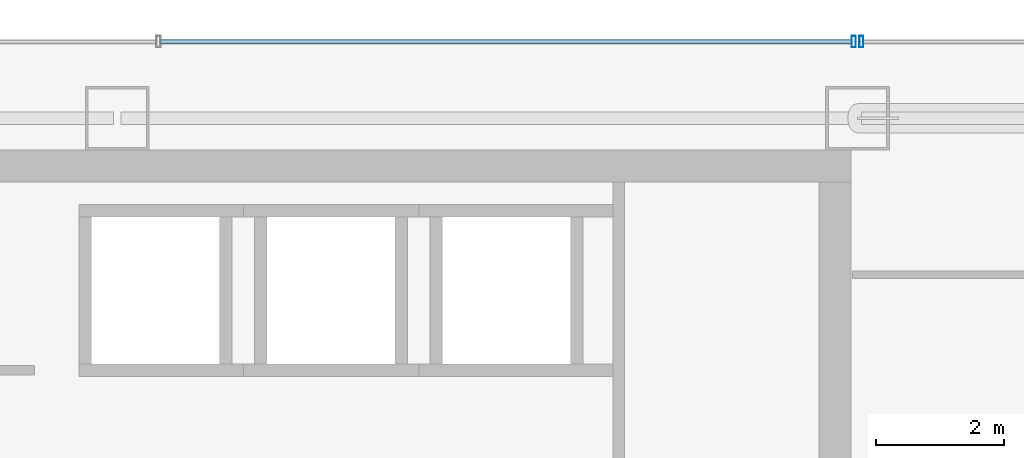
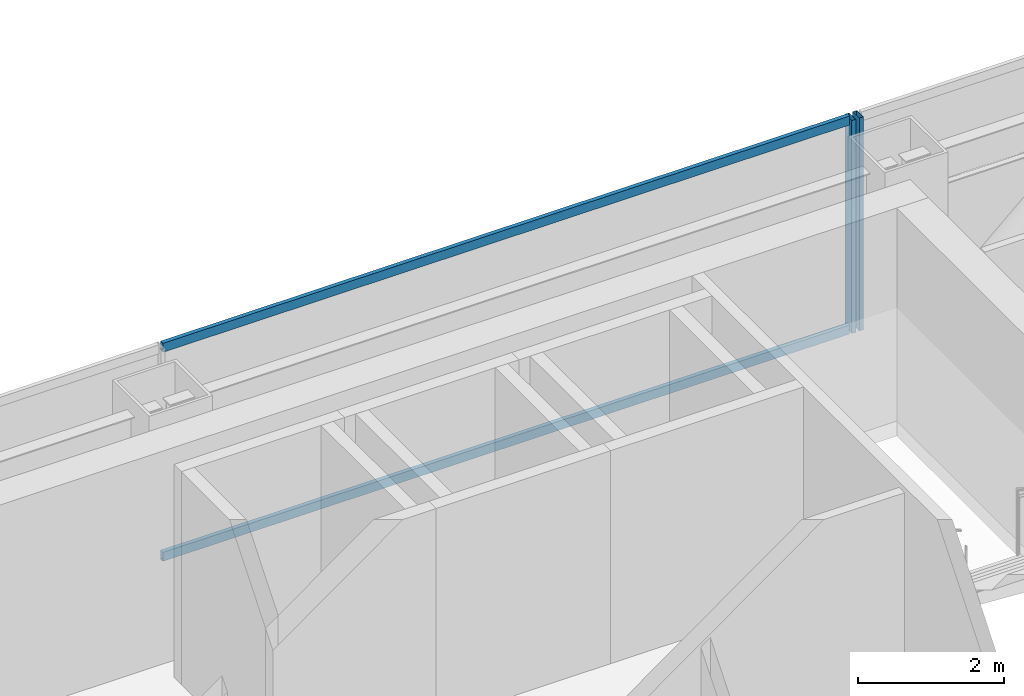
# One storey, part 28 of 38: 4 members, 2 elements without a shape of their own.
"""IFC4 building model written with IfcOpenShell, lengths in metres."""

from ifc_helpers import new_model, si_unit, direction, frame, origin, origin_2d, place, context, subcontext, project, spatial, hollow_rectangle, extrude, material, material_profile, profile_set, type_object, element, aggregate, save


model = new_model("IFC4")

# Units and contexts
model_context = context("Model", 3, precision=1e-05, world=origin(), true_north=direction((0.0, 1.0)))
body_context = subcontext(model_context, "Body", "Model", "MODEL_VIEW")
ifc_project = project(units=[si_unit("LENGTHUNIT", "METRE"), si_unit("AREAUNIT", "SQUARE_METRE"), si_unit("VOLUMEUNIT", "CUBIC_METRE"), si_unit("PLANEANGLEUNIT", "RADIAN"), si_unit("MASSUNIT", "GRAM", prefix="KILO")], contexts=[model_context])

# Site, building, storey
site_placement = place(None, origin())
site = spatial("IfcSite", under=ifc_project, at=site_placement, CompositionType="ELEMENT")
building_placement = place(site_placement, origin())
building = spatial("IfcBuilding", under=site, at=building_placement, Name="Saevonmaru Cultural Tower", CompositionType="ELEMENT")
storey_placement = place(building_placement, frame((0.0, 0.0, 137.199951171875)))
storey = spatial("IfcBuildingStorey", under=building, at=storey_placement, Name="L29", CompositionType="ELEMENT", Elevation=137.199951171875)

# Curtain wall, member
ifc_material = material(Name="Satin Bronze Anodised Aluminium", Category="aluminium")
curtain_wall_type = type_object("IfcCurtainWallType", Name="CW-TYP-A", PredefinedType="NOTDEFINED", material=ifc_material)
curtain_wall_1_placement = place(storey_placement, origin())
curtain_wall_1 = element("IfcCurtainWall", 1, at=curtain_wall_1_placement, inside=storey, type_object=curtain_wall_type, Name="L29 East Braced Bay Spandrel Curtain Wall E10A", PredefinedType="NOTDEFINED")
ifc_material_profile_1 = material_profile(ifc_material, hollow_rectangle(XDim=0.06494140625, YDim=0.179931640625, WallThickness=0.00390625, at=origin_2d()), Name="ALU-MULL-180x65x4")
ifc_profile_set_1 = profile_set([ifc_material_profile_1], Name="Satin Bronze Anodised Aluminium")
member_type_1 = type_object("IfcMemberType", Name="ML-CW-180x65", PredefinedType="MULLION", material=ifc_profile_set_1)
member_1_placement = place(storey_placement, frame((46.4599609375, 56.0, 0.0), z_axis=(0.0, 0.0, 1.0), x_axis=(-1.0, 0.0, 0.0)))
member_1 = element("IfcMember", 2, at=member_1_placement, type_object=member_type_1, Name="CW-TW-L29-E10A mullion 2", PredefinedType="MULLION", context=body_context, shape_type="SweptSolid", body=[
    extrude(hollow_rectangle(XDim=0.06494140625, YDim=0.179931640625, WallThickness=0.00390625, at=origin_2d()), origin(), (0.0, 0.0, 1.0), 3.550048828125),
])
aggregate(curtain_wall_1, [member_1])

# Curtain wall, members
curtain_wall_2_placement = place(storey_placement, origin())
curtain_wall_2 = element("IfcCurtainWall", 3, at=curtain_wall_2_placement, inside=storey, type_object=curtain_wall_type, Name="L29 North Spine Unitised Curtain Wall E10B", PredefinedType="NOTDEFINED")
member_2_placement = place(storey_placement, frame((46.340087890625, 56.0, 0.0), z_axis=(0.0, 0.0, 1.0), x_axis=(-1.0, 0.0, 0.0)))
member_2 = element("IfcMember", 4, at=member_2_placement, type_object=member_type_1, Name="CW-TW-L29-E10B mullion 1", PredefinedType="MULLION", context=body_context, shape_type="SweptSolid", body=[
    extrude(hollow_rectangle(XDim=0.06494140625, YDim=0.179931640625, WallThickness=0.00390625, at=origin_2d()), origin(), (0.0, 0.0, 1.0), 3.550048828125),
])
ifc_material_profile_2 = material_profile(ifc_material, hollow_rectangle(XDim=0.06494140625, YDim=0.14990234375, WallThickness=0.00390625, at=origin_2d()), Name="ALU-TRAN-150x65x4")
ifc_profile_set_2 = profile_set([ifc_material_profile_2], Name="Satin Bronze Anodised Aluminium")
member_type_2 = type_object("IfcMemberType", Name="TR-CW-150x65", PredefinedType="USERDEFINED", material=ifc_profile_set_2)
member_3_placement = place(storey_placement, frame((46.3076171875, 56.0, 0.032470703125), z_axis=(-1.0, 0.0, 0.0), x_axis=(0.0, -1.0, 0.0)))
member_3 = element("IfcMember", 5, at=member_3_placement, type_object=member_type_2, Name="CW-TW-L29-E10B transom 1.1", ObjectType="TRANSOM", PredefinedType="USERDEFINED", context=body_context, shape_type="SweptSolid", body=[
    extrude(hollow_rectangle(XDim=0.06494140625, YDim=0.14990234375, WallThickness=0.00390625, at=origin_2d()), origin(), (0.0, 0.0, 1.0), 10.828369140625),
])
member_4_placement = place(storey_placement, frame((46.3076171875, 56.0, 3.517578125), z_axis=(-1.0, 0.0, 0.0), x_axis=(0.0, -1.0, 0.0)))
member_4 = element("IfcMember", 6, at=member_4_placement, type_object=member_type_2, Name="CW-TW-L29-E10B transom 1.2", ObjectType="TRANSOM", PredefinedType="USERDEFINED", context=body_context, shape_type="SweptSolid", body=[
    extrude(hollow_rectangle(XDim=0.06494140625, YDim=0.14990234375, WallThickness=0.00390625, at=origin_2d()), origin(), (0.0, 0.0, 1.0), 10.828369140625),
])
aggregate(curtain_wall_2, [member_2, member_3, member_4])

save(model, "model.ifc")
